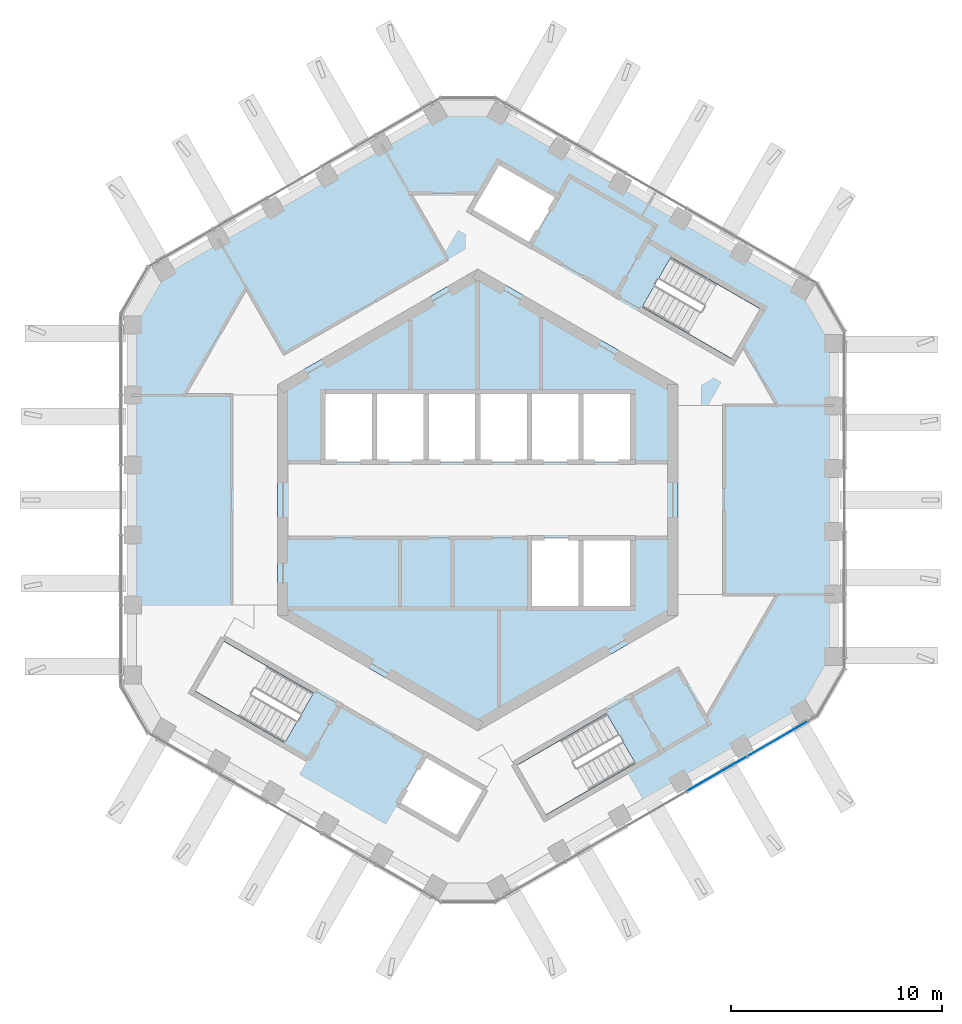
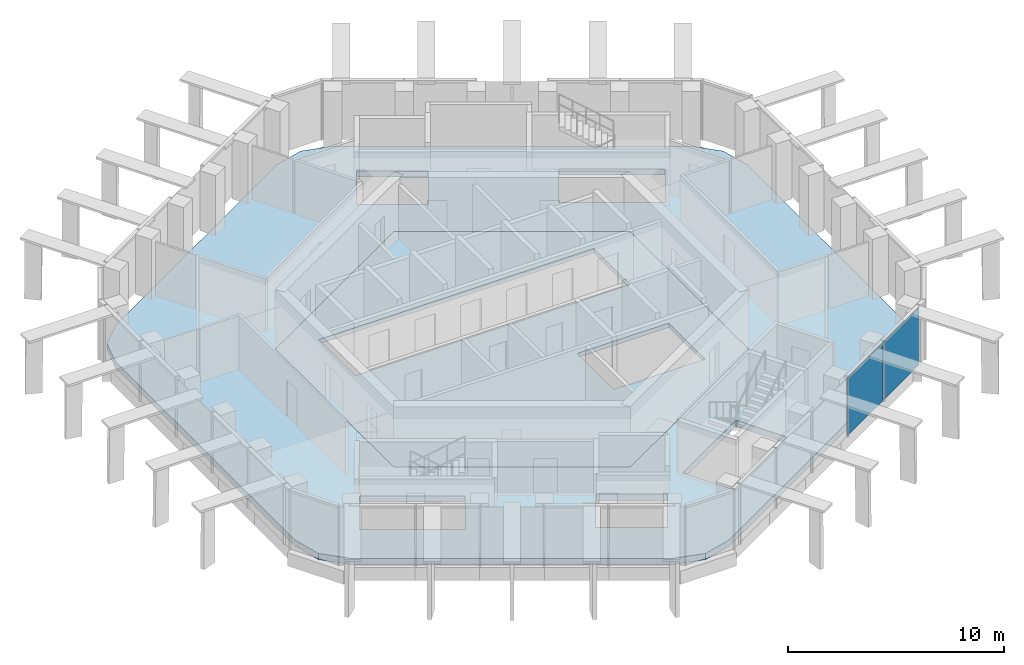
# One storey, part 8 of 17: 2 plates, 2 slabs, 1 element without a shape of its own.
"""IFC4 building model written with IfcOpenShell, lengths in metres."""

from ifc_helpers import new_model, si_unit, direction, frame, origin, origin_2d, place, context, subcontext, project, spatial, polyline, rectangle, outline, extrude, material, layer, layer_set, type_object, element, aggregate, save


model = new_model("IFC4")

# Units and contexts
model_context = context("Model", 3, precision=1e-05, world=origin(), true_north=direction((0.0, 1.0)))
body_context = subcontext(model_context, "Body", "Model", "MODEL_VIEW")
ifc_project = project(units=[si_unit("LENGTHUNIT", "METRE"), si_unit("AREAUNIT", "SQUARE_METRE"), si_unit("VOLUMEUNIT", "CUBIC_METRE"), si_unit("PLANEANGLEUNIT", "RADIAN"), si_unit("MASSUNIT", "GRAM", prefix="KILO")], contexts=[model_context])

# Site, building, storey
site_placement = place(None, origin())
site = spatial("IfcSite", under=ifc_project, at=site_placement, CompositionType="ELEMENT")
building_placement = place(site_placement, origin())
building = spatial("IfcBuilding", under=site, at=building_placement, Name="Ayvan Gate Tower", CompositionType="ELEMENT")
storey_placement = place(building_placement, frame((0.0, 0.0, 246.10009765625)))
storey = spatial("IfcBuildingStorey", under=building, at=storey_placement, Name="L66", CompositionType="ELEMENT", Elevation=246.10009765625)

# Slabs
ifc_material_1 = material(Name="Concrete C40/50", Category="concrete")
ifc_layer_1 = layer(ifc_material_1, 0.35009765625)
ifc_layer_set_1 = layer_set([ifc_layer_1], Name="Concrete C40/50")
slab_type_1 = type_object("IfcSlabType", Name="Post-tensioned flat slab 350", PredefinedType="FLOOR", material=ifc_layer_set_1)
slab_1_placement = place(storey_placement, frame((0.0, 0.0, -0.35009765625)))
element("IfcSlab", 1, at=slab_1_placement, inside=storey, type_object=slab_type_1, Name="SL-L66", PredefinedType="FLOOR", context=body_context, shape_type="SweptSolid", body=[
    extrude(outline(polyline([(1.025146484375, -18.35986328125), (-0.474853515625, -18.76171875), (-1.974853515625, -18.35986328125), (-14.91259765625, -10.89013671875), (-16.0107421875, -9.7919921875), (-16.41259765625, -8.2919921875), (-16.41259765625, 8.2919921875), (-16.0107421875, 9.7919921875), (-14.91259765625, 10.89013671875), (-1.974853515625, 18.35986328125), (-0.474853515625, 18.76171875), (1.025146484375, 18.35986328125), (15.387451171875, 10.06787109375), (16.485595703125, 8.9697265625), (16.887451171875, 7.4697265625), (16.887451171875, -7.4697265625), (16.485595703125, -8.9697265625), (15.387451171875, -10.06787109375), (1.025146484375, -18.35986328125)]), holes=[polyline([(12.049560546875, 6.720458984375), (13.404541015625, 9.0673828125), (9.1611328125, 11.517578125), (7.80615234375, 9.170654296875), (12.049560546875, 6.720458984375)]), polyline([(9.5, 5.48486328125), (0.0, 10.9697265625), (-9.5, 5.48486328125), (-9.5, -5.48486328125), (0.0, -10.9697265625), (9.5, -5.48486328125), (9.5, 5.48486328125)]), polyline([(1.873779296875, -12.595458984375), (3.228759765625, -14.9423828125), (7.472412109375, -12.492431640625), (6.117431640625, -10.1455078125), (1.873779296875, -12.595458984375)]), polyline([(3.822509765625, 14.420654296875), (0.964599609375, 16.07080078125), (-0.385498046875, 13.732421875), (2.472412109375, 12.08251953125), (3.822509765625, 14.420654296875)]), polyline([(0.385498046875, -13.732421875), (-2.472412109375, -12.08251953125), (-3.822509765625, -14.420654296875), (-0.964599609375, -16.07080078125), (0.385498046875, -13.732421875)]), polyline([(-9.1611328125, -11.517578125), (-7.80615234375, -9.170654296875), (-12.049560546875, -6.720458984375), (-13.404541015625, -9.0673828125), (-9.1611328125, -11.517578125)])]), origin(), (0.0, 0.0, 1.0), 0.35009765625),
])
ifc_layer_2 = layer(ifc_material_1, 0.25)
ifc_layer_set_2 = layer_set([ifc_layer_2], Name="Concrete C40/50")
slab_type_2 = type_object("IfcSlabType", Name="SL-CORE-250", PredefinedType="FLOOR", material=ifc_layer_set_2)
slab_2_placement = place(storey_placement, frame((0.0, 0.0, -0.25)))
element("IfcSlab", 2, at=slab_2_placement, inside=storey, type_object=slab_type_2, Name="CS-L66", PredefinedType="FLOOR", context=body_context, shape_type="SweptSolid", body=[
    extrude(outline(polyline([(9.5, -5.48486328125), (0.0, -10.9697265625), (-9.5, -5.48486328125), (-9.5, 5.48486328125), (0.0, 10.9697265625), (9.5, 5.48486328125), (9.5, -5.48486328125)]), holes=[polyline([(-7.35009765625, 5.14990234375), (-7.35009765625, 1.800048828125), (7.35009765625, 1.800048828125), (7.35009765625, 5.14990234375), (-7.35009765625, 5.14990234375)]), polyline([(2.449951171875, -1.800048828125), (2.449951171875, -5.14990234375), (7.35009765625, -5.14990234375), (7.35009765625, -1.800048828125), (2.449951171875, -1.800048828125)])]), origin(), (0.0, 0.0, 1.0), 0.25),
])

# Curtain wall, plates
ifc_material_2 = material(Name="Bronze anodised aluminium", Category="aluminium")
ifc_layer_3 = layer(ifc_material_2, 0.199951171875)
ifc_layer_set_3 = layer_set([ifc_layer_3], Name="Bronze anodised aluminium")
curtain_wall_type = type_object("IfcCurtainWallType", Name="Stick curtain wall CW-2", PredefinedType="NOTDEFINED", material=ifc_layer_set_3)
curtain_wall_placement = place(storey_placement, origin())
curtain_wall = element("IfcCurtainWall", 3, at=curtain_wall_placement, inside=storey, type_object=curtain_wall_type, Name="Stick curtain wall CW-2 L66", PredefinedType="NOTDEFINED")
ifc_material_3 = material(Name="Clear low-iron laminated glass", Category="glass")
ifc_layer_4 = layer(ifc_material_3, 0.028076171875)
ifc_layer_set_4 = layer_set([ifc_layer_4], Name="Clear low-iron laminated glass")
plate_type = type_object("IfcPlateType", Name="Stick curtain wall CW-2 glass panel", PredefinedType="CURTAIN_PANEL", material=ifc_layer_set_4)
plate_1_placement = place(storey_placement, frame((11.347412109375, -13.006591796875, 0.0), z_axis=(0.0, 0.0, 1.0), x_axis=(0.866025403784, 0.5, 0.0)))
plate_1 = element("IfcPlate", 4, at=plate_1_placement, type_object=plate_type, Name="CW-2 glass panel 4", PredefinedType="CURTAIN_PANEL", context=body_context, shape_type="SweptSolid", body=[
    extrude(rectangle(XDim=3.25390625, YDim=0.028076171875, at=origin_2d()), origin(), (0.0, 0.0, 1.0), 3.280029296875),
])
plate_2_placement = place(storey_placement, frame((14.248291015625, -11.331787109375, 0.0), z_axis=(0.0, 0.0, 1.0), x_axis=(0.866025403784, 0.5, 0.0)))
plate_2 = element("IfcPlate", 5, at=plate_2_placement, type_object=plate_type, Name="CW-2 glass panel 5", PredefinedType="CURTAIN_PANEL", context=body_context, shape_type="SweptSolid", body=[
    extrude(rectangle(XDim=3.305419921875, YDim=0.028076171875, at=origin_2d()), origin(), (0.0, 0.0, 1.0), 3.280029296875),
])
aggregate(curtain_wall, [plate_1, plate_2])

save(model, "model.ifc")
